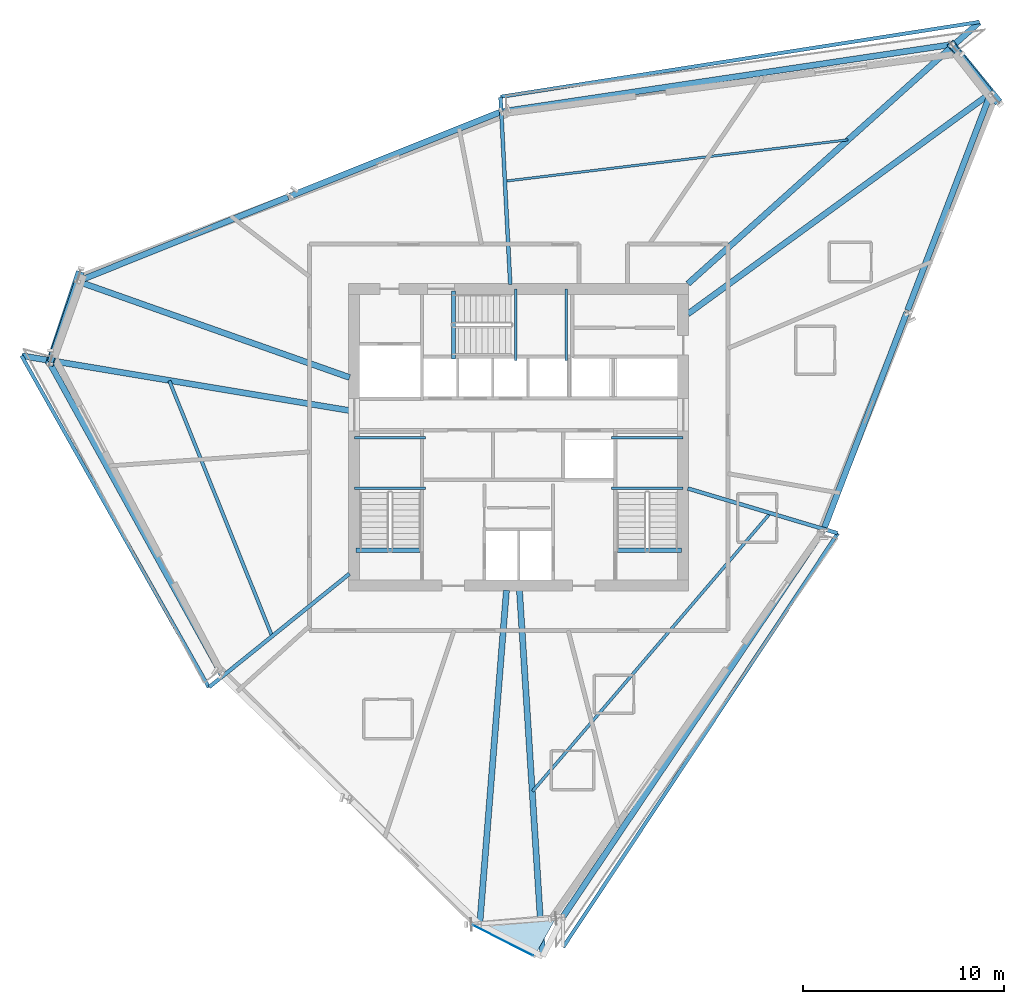
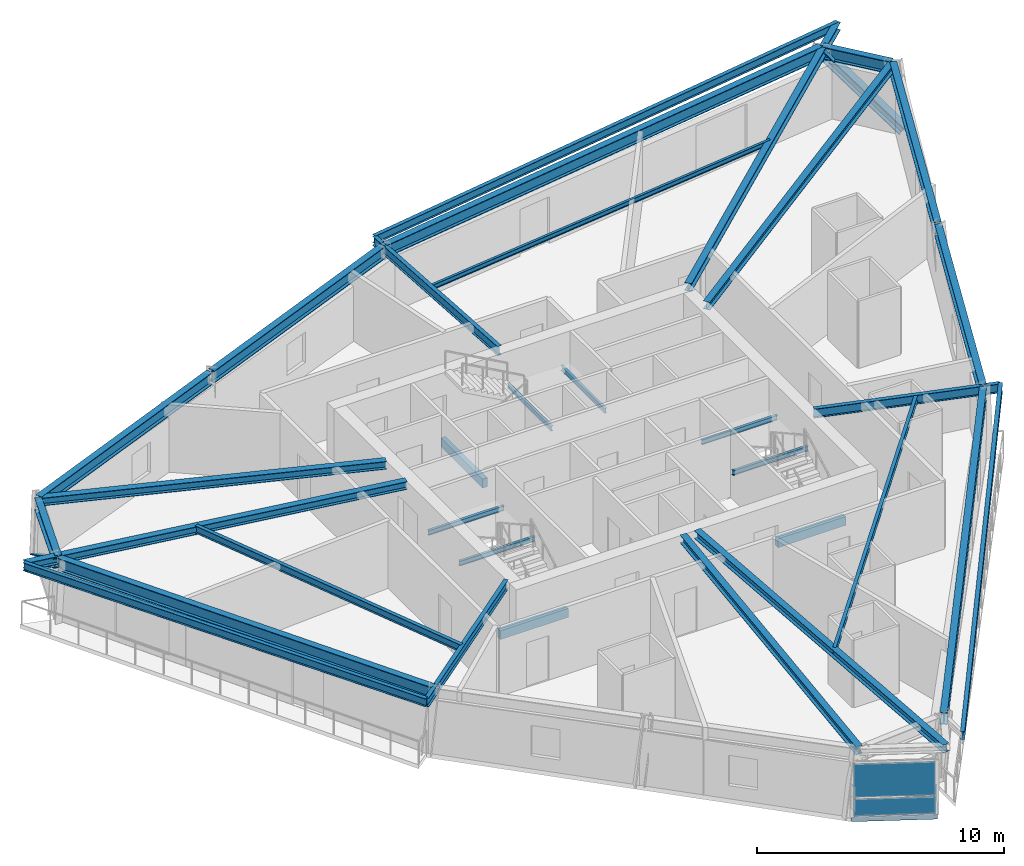
# One storey, part 3 of 13: 33 beams, 2 members, 2 plates, 1 slab, 1 element without a shape of its own.
"""IFC4 building model written with IfcOpenShell, lengths in metres."""

from ifc_helpers import new_model, si_unit, direction, frame, origin, origin_2d, place, context, subcontext, project, spatial, polyline, rectangle, i_section, outline, extrude, source, transform, mapped, material, layer, layer_set, material_profile, profile_set, type_object, element, aggregate, save


model = new_model("IFC4")

# Units and contexts
model_context = context("Model", 3, precision=1e-05, world=origin(), true_north=direction((0.0, 1.0)))
body_context = subcontext(model_context, "Body", "Model", "MODEL_VIEW")
ifc_project = project(units=[si_unit("LENGTHUNIT", "METRE"), si_unit("AREAUNIT", "SQUARE_METRE"), si_unit("VOLUMEUNIT", "CUBIC_METRE"), si_unit("PLANEANGLEUNIT", "RADIAN"), si_unit("MASSUNIT", "GRAM", prefix="KILO")], contexts=[model_context])

# Site, building, storey
site_placement = place(None, origin())
site = spatial("IfcSite", under=ifc_project, at=site_placement, CompositionType="ELEMENT")
building_placement = place(site_placement, origin())
building = spatial("IfcBuilding", under=site, at=building_placement, Name="Olszyna Solenne Hotel", CompositionType="ELEMENT")
storey_placement = place(building_placement, frame((0.0, 0.0, 189.199951171875)))
storey = spatial("IfcBuildingStorey", under=building, at=storey_placement, Name="L50", CompositionType="ELEMENT", Elevation=189.199951171875)

# Beams
ifc_material_1 = material(Name="Steel S355J2", Category="steel")
ifc_material_profile_1 = material_profile(ifc_material_1, i_section(OverallWidth=0.300048828125, OverallDepth=0.60009765625, WebThickness=0.015380859375, FlangeThickness=0.030029296875, at=origin_2d()), Name="HEB 600", Category="load-bearing")
ifc_profile_set_1 = profile_set([ifc_material_profile_1], Name="Steel S355J2")
beam_type_1 = type_object("IfcBeamType", Name="BM-S2", PredefinedType="BEAM", material=ifc_profile_set_1)
shared_shape_1 = source(origin(), body_context, "Body", "SweptSolid", [
    extrude(i_section(OverallWidth=0.300048828125, OverallDepth=0.60009765625, WebThickness=0.015380859375, FlangeThickness=0.030029296875, at=origin_2d()), origin(), (0.0, 0.0, 1.0), 2.979248046875),
])
beam_1_placement = place(storey_placement, frame((61.42236328125, 43.750732421875, 3.030029296875), z_axis=(-0.627319874204, 0.778761693607, 0.0), x_axis=(-0.778761693607, -0.627319874204, 0.0)))
element("IfcBeam", 1, at=beam_1_placement, inside=storey, type_object=beam_type_1, Name="Perimeter spandrel beam BM-S2 B-L50-1482", PredefinedType="BEAM", context=body_context, shape_type="MappedRepresentation", body=[
    mapped(shared_shape_1, transform((0.0, 0.0, 0.0), x_axis=(1.0, 0.0, 0.0), y_axis=(0.0, 1.0, 0.0), z_axis=(0.0, 0.0, 1.0), scale=1.0)),
])
shared_shape_2 = source(origin(), body_context, "Body", "SweptSolid", [
    extrude(i_section(OverallWidth=0.300048828125, OverallDepth=0.60009765625, WebThickness=0.015380859375, FlangeThickness=0.030029296875, at=origin_2d()), origin(), (0.0, 0.0, 1.0), 22.5361328125),
])
beam_2_placement = place(storey_placement, frame((59.45654296875, 46.108642578125, 3.030029296875), z_axis=(-0.989059494064, -0.147517175959, 0.0), x_axis=(0.147517175959, -0.989059494064, 0.0)))
element("IfcBeam", 2, at=beam_2_placement, inside=storey, type_object=beam_type_1, Name="Perimeter spandrel beam BM-S2 B-L50-1483", PredefinedType="BEAM", context=body_context, shape_type="MappedRepresentation", body=[
    mapped(shared_shape_2, transform((0.0, 0.0, 0.0), x_axis=(1.0, 0.0, 0.0), y_axis=(0.0, 1.0, 0.0), z_axis=(0.0, 0.0, 1.0), scale=1.0)),
])
shared_shape_3 = source(origin(), body_context, "Body", "SweptSolid", [
    extrude(i_section(OverallWidth=0.300048828125, OverallDepth=0.60009765625, WebThickness=0.015380859375, FlangeThickness=0.030029296875, at=origin_2d()), origin(), (0.0, 0.0, 1.0), 11.2080078125),
])
beam_3_placement = place(storey_placement, frame((37.052001953125, 42.753173828125, 3.030029296875), z_axis=(-0.928327894335, -0.371762451842, 0.0), x_axis=(0.371762451842, -0.928327894335, 0.0)))
element("IfcBeam", 3, at=beam_3_placement, inside=storey, type_object=beam_type_1, Name="Perimeter spandrel beam BM-S2 B-L50-1484", PredefinedType="BEAM", context=body_context, shape_type="MappedRepresentation", body=[
    mapped(shared_shape_3, transform((0.0, 0.0, 0.0), x_axis=(1.0, 0.0, 0.0), y_axis=(0.0, 1.0, 0.0), z_axis=(0.0, 0.0, 1.0), scale=1.0)),
])
shared_shape_4 = source(origin(), body_context, "Body", "SweptSolid", [
    extrude(i_section(OverallWidth=0.300048828125, OverallDepth=0.60009765625, WebThickness=0.015380859375, FlangeThickness=0.030029296875, at=origin_2d()), origin(), (0.0, 0.0, 1.0), 11.207763671875),
])
beam_4_placement = place(storey_placement, frame((26.53564453125, 38.541748046875, 3.030029296875), z_axis=(-0.928332401421, -0.371751197002, 0.0), x_axis=(0.371751197002, -0.928332401421, 0.0)))
element("IfcBeam", 4, at=beam_4_placement, inside=storey, type_object=beam_type_1, Name="Perimeter spandrel beam BM-S2 B-L50-1485", PredefinedType="BEAM", context=body_context, shape_type="MappedRepresentation", body=[
    mapped(shared_shape_4, transform((0.0, 0.0, 0.0), x_axis=(1.0, 0.0, 0.0), y_axis=(0.0, 1.0, 0.0), z_axis=(0.0, 0.0, 1.0), scale=1.0)),
])
shared_shape_5 = source(origin(), body_context, "Body", "SweptSolid", [
    extrude(i_section(OverallWidth=0.300048828125, OverallDepth=0.60009765625, WebThickness=0.015380859375, FlangeThickness=0.030029296875, at=origin_2d()), origin(), (0.0, 0.0, 1.0), 4.17578125),
])
beam_5_placement = place(storey_placement, frame((16.05615234375, 34.296142578125, 3.030029296875), z_axis=(-0.320574384143, -0.947223344429, 0.0), x_axis=(0.947223344429, -0.320574384143, 0.0)))
element("IfcBeam", 5, at=beam_5_placement, inside=storey, type_object=beam_type_1, Name="Perimeter spandrel beam BM-S2 B-L50-1486", PredefinedType="BEAM", context=body_context, shape_type="MappedRepresentation", body=[
    mapped(shared_shape_5, transform((0.0, 0.0, 0.0), x_axis=(1.0, 0.0, 0.0), y_axis=(0.0, 1.0, 0.0), z_axis=(0.0, 0.0, 1.0), scale=1.0)),
])
shared_shape_6 = source(origin(), body_context, "Body", "SweptSolid", [
    extrude(i_section(OverallWidth=0.300048828125, OverallDepth=0.60009765625, WebThickness=0.015380859375, FlangeThickness=0.030029296875, at=origin_2d()), origin(), (0.0, 0.0, 1.0), 17.644287109375),
])
beam_6_placement = place(storey_placement, frame((14.727294921875, 30.231689453125, 3.030029296875), z_axis=(0.483776206179, -0.875191740326, 0.0), x_axis=(0.875191740326, 0.483776206179, 0.0)))
element("IfcBeam", 6, at=beam_6_placement, inside=storey, type_object=beam_type_1, Name="Perimeter spandrel beam BM-S2 B-L50-1487", PredefinedType="BEAM", context=body_context, shape_type="MappedRepresentation", body=[
    mapped(shared_shape_6, transform((0.0, 0.0, 0.0), x_axis=(1.0, 0.0, 0.0), y_axis=(0.0, 1.0, 0.0), z_axis=(0.0, 0.0, 1.0), scale=1.0)),
])
shared_shape_7 = source(origin(), body_context, "Body", "SweptSolid", [
    extrude(i_section(OverallWidth=0.300048828125, OverallDepth=0.60009765625, WebThickness=0.015380859375, FlangeThickness=0.030029296875, at=origin_2d()), origin(), (0.0, 0.0, 1.0), 23.10400390625),
])
beam_7_placement = place(storey_placement, frame((40.2197265625, 2.80078125, 3.030029296875), z_axis=(0.558571448579, 0.829456410447, 0.0), x_axis=(-0.829456410447, 0.558571448579, 0.0)))
element("IfcBeam", 7, at=beam_7_placement, inside=storey, type_object=beam_type_1, Name="Perimeter spandrel beam BM-S2 B-L50-1491", PredefinedType="BEAM", context=body_context, shape_type="MappedRepresentation", body=[
    mapped(shared_shape_7, transform((0.0, 0.0, 0.0), x_axis=(1.0, 0.0, 0.0), y_axis=(0.0, 1.0, 0.0), z_axis=(0.0, 0.0, 1.0), scale=1.0)),
])
shared_shape_8 = source(origin(), body_context, "Body", "SweptSolid", [
    extrude(i_section(OverallWidth=0.300048828125, OverallDepth=0.60009765625, WebThickness=0.015380859375, FlangeThickness=0.030029296875, at=origin_2d()), origin(), (0.0, 0.0, 1.0), 11.491943359375),
])
beam_8_placement = place(storey_placement, frame((53.179931640625, 22.0703125, 3.030029296875), z_axis=(0.357459623576, 0.933928593369, 0.0), x_axis=(-0.933928593369, 0.357459623576, 0.0)))
element("IfcBeam", 8, at=beam_8_placement, inside=storey, type_object=beam_type_1, Name="Perimeter spandrel beam BM-S2 B-L50-1492", PredefinedType="BEAM", context=body_context, shape_type="MappedRepresentation", body=[
    mapped(shared_shape_8, transform((0.0, 0.0, 0.0), x_axis=(1.0, 0.0, 0.0), y_axis=(0.0, 1.0, 0.0), z_axis=(0.0, 0.0, 1.0), scale=1.0)),
])
shared_shape_9 = source(origin(), body_context, "Body", "SweptSolid", [
    extrude(i_section(OverallWidth=0.300048828125, OverallDepth=0.60009765625, WebThickness=0.015380859375, FlangeThickness=0.030029296875, at=origin_2d()), origin(), (0.0, 0.0, 1.0), 11.4921875),
])
beam_9_placement = place(storey_placement, frame((57.33056640625, 32.9150390625, 3.030029296875), z_axis=(0.357471060857, 0.933924215689, 0.0), x_axis=(-0.933924215689, 0.357471060857, 0.0)))
element("IfcBeam", 9, at=beam_9_placement, inside=storey, type_object=beam_type_1, Name="Perimeter spandrel beam BM-S2 B-L50-1493", PredefinedType="BEAM", context=body_context, shape_type="MappedRepresentation", body=[
    mapped(shared_shape_9, transform((0.0, 0.0, 0.0), x_axis=(1.0, 0.0, 0.0), y_axis=(0.0, 1.0, 0.0), z_axis=(0.0, 0.0, 1.0), scale=1.0)),
])
ifc_material_profile_2 = material_profile(ifc_material_1, i_section(OverallWidth=0.300048828125, OverallDepth=0.389892578125, WebThickness=0.010986328125, FlangeThickness=0.01904296875, at=origin_2d()), Name="HEA 400", Category="load-bearing")
ifc_profile_set_2 = profile_set([ifc_material_profile_2], Name="Steel S355J2")
beam_type_2 = type_object("IfcBeamType", Name="BM-G2", PredefinedType="BEAM", material=ifc_profile_set_2)
shared_shape_10 = source(origin(), body_context, "Body", "SweptSolid", [
    extrude(i_section(OverallWidth=0.300048828125, OverallDepth=0.389892578125, WebThickness=0.010986328125, FlangeThickness=0.01904296875, at=origin_2d()), origin(), (0.0, 0.0, 1.0), 18.565673828125),
])
beam_10_placement = place(storey_placement, frame((61.41162109375, 43.668701171875, 3.135009765625), z_axis=(-0.80804404622, -0.589122075099, 0.0), x_axis=(0.589122075099, -0.80804404622, 0.0)))
element("IfcBeam", 10, at=beam_10_placement, inside=storey, type_object=beam_type_2, Name="Radial floor girder BM-G2 B-L50-1494", PredefinedType="BEAM", context=body_context, shape_type="MappedRepresentation", body=[
    mapped(shared_shape_10, transform((0.0, 0.0, 0.0), x_axis=(1.0, 0.0, 0.0), y_axis=(0.0, 1.0, 0.0), z_axis=(0.0, 0.0, 1.0), scale=1.0)),
])
shared_shape_11 = source(origin(), body_context, "Body", "SweptSolid", [
    extrude(i_section(OverallWidth=0.300048828125, OverallDepth=0.389892578125, WebThickness=0.010986328125, FlangeThickness=0.01904296875, at=origin_2d()), origin(), (0.0, 0.0, 1.0), 19.448974609375),
])
beam_11_placement = place(storey_placement, frame((60.882568359375, 47.227783203125, 3.135009765625), z_axis=(-0.743969748127, -0.668213299682, 0.0), x_axis=(0.668213299682, -0.743969748127, 0.0)))
element("IfcBeam", 11, at=beam_11_placement, inside=storey, type_object=beam_type_2, Name="Radial floor girder BM-G2 B-L50-1495", PredefinedType="BEAM", context=body_context, shape_type="MappedRepresentation", body=[
    mapped(shared_shape_11, transform((0.0, 0.0, 0.0), x_axis=(1.0, 0.0, 0.0), y_axis=(0.0, 1.0, 0.0), z_axis=(0.0, 0.0, 1.0), scale=1.0)),
])
ifc_material_profile_3 = material_profile(ifc_material_1, i_section(OverallWidth=0.18994140625, OverallDepth=0.449951171875, WebThickness=0.009521484375, FlangeThickness=0.0146484375, at=origin_2d()), Name="IPE 450", Category="load-bearing")
ifc_profile_set_3 = profile_set([ifc_material_profile_3], Name="Steel S355J2")
beam_type_3 = type_object("IfcBeamType", Name="BM-F4", PredefinedType="BEAM", material=ifc_profile_set_3)
shared_shape_12 = source(origin(), body_context, "Body", "SweptSolid", [
    extrude(i_section(OverallWidth=0.18994140625, OverallDepth=0.449951171875, WebThickness=0.009521484375, FlangeThickness=0.0146484375, at=origin_2d()), origin(), (0.0, 0.0, 1.0), 9.314208984375),
])
beam_12_placement = place(storey_placement, frame((37.097412109375, 43.501953125, 3.10498046875), z_axis=(0.051898469434, -0.998652366377, 0.0), x_axis=(0.998652366377, 0.051898469434, 0.0)))
element("IfcBeam", 12, at=beam_12_placement, inside=storey, type_object=beam_type_3, Name="Radial floor girder BM-F4 B-L50-1496", PredefinedType="BEAM", context=body_context, shape_type="MappedRepresentation", body=[
    mapped(shared_shape_12, transform((0.0, 0.0, 0.0), x_axis=(1.0, 0.0, 0.0), y_axis=(0.0, 1.0, 0.0), z_axis=(0.0, 0.0, 1.0), scale=1.0)),
])
shared_shape_13 = source(origin(), body_context, "Body", "SweptSolid", [
    extrude(i_section(OverallWidth=0.300048828125, OverallDepth=0.389892578125, WebThickness=0.010986328125, FlangeThickness=0.01904296875, at=origin_2d()), origin(), (0.0, 0.0, 1.0), 14.282470703125),
])
beam_13_placement = place(storey_placement, frame((16.1318359375, 34.3330078125, 3.135009765625), z_axis=(0.942786926616, -0.333395877302, 0.0), x_axis=(0.333395877302, 0.942786926616, 0.0)))
element("IfcBeam", 13, at=beam_13_placement, inside=storey, type_object=beam_type_2, Name="Radial floor girder BM-G2 B-L50-1497", PredefinedType="BEAM", context=body_context, shape_type="MappedRepresentation", body=[
    mapped(shared_shape_13, transform((0.0, 0.0, 0.0), x_axis=(1.0, 0.0, 0.0), y_axis=(0.0, 1.0, 0.0), z_axis=(0.0, 0.0, 1.0), scale=1.0)),
])
shared_shape_14 = source(origin(), body_context, "Body", "SweptSolid", [
    extrude(i_section(OverallWidth=0.300048828125, OverallDepth=0.389892578125, WebThickness=0.010986328125, FlangeThickness=0.01904296875, at=origin_2d()), origin(), (0.0, 0.0, 1.0), 16.51123046875),
])
beam_14_placement = place(storey_placement, frame((13.31396484375, 30.650146484375, 3.135009765625), z_axis=(0.986318289853, -0.164852149218, 0.0), x_axis=(0.164852149218, 0.986318289853, 0.0)))
element("IfcBeam", 14, at=beam_14_placement, inside=storey, type_object=beam_type_2, Name="Radial floor girder BM-G2 B-L50-1498", PredefinedType="BEAM", context=body_context, shape_type="MappedRepresentation", body=[
    mapped(shared_shape_14, transform((0.0, 0.0, 0.0), x_axis=(1.0, 0.0, 0.0), y_axis=(0.0, 1.0, 0.0), z_axis=(0.0, 0.0, 1.0), scale=1.0)),
])
shared_shape_15 = source(origin(), body_context, "Body", "SweptSolid", [
    extrude(i_section(OverallWidth=0.18994140625, OverallDepth=0.449951171875, WebThickness=0.009521484375, FlangeThickness=0.0146484375, at=origin_2d()), origin(), (0.0, 0.0, 1.0), 8.960205078125),
])
beam_15_placement = place(storey_placement, frame((22.616943359375, 14.187744140625, 3.10498046875), z_axis=(0.778104565233, 0.628134767039, 0.0), x_axis=(-0.628134767039, 0.778104565233, 0.0)))
element("IfcBeam", 15, at=beam_15_placement, inside=storey, type_object=beam_type_3, Name="Radial floor girder BM-F4 B-L50-1499", PredefinedType="BEAM", context=body_context, shape_type="MappedRepresentation", body=[
    mapped(shared_shape_15, transform((0.0, 0.0, 0.0), x_axis=(1.0, 0.0, 0.0), y_axis=(0.0, 1.0, 0.0), z_axis=(0.0, 0.0, 1.0), scale=1.0)),
])
shared_shape_16 = source(origin(), body_context, "Body", "SweptSolid", [
    extrude(i_section(OverallWidth=0.300048828125, OverallDepth=0.389892578125, WebThickness=0.010986328125, FlangeThickness=0.01904296875, at=origin_2d()), origin(), (0.0, 0.0, 1.0), 16.602294921875),
])
beam_16_placement = place(storey_placement, frame((36.069091796875, 2.4501953125, 3.135009765625), z_axis=(0.079701971735, 0.996818737636, 0.0), x_axis=(-0.996818737636, 0.079701971735, 0.0)))
element("IfcBeam", 16, at=beam_16_placement, inside=storey, type_object=beam_type_2, Name="Radial floor girder BM-G2 B-L50-1500", PredefinedType="BEAM", context=body_context, shape_type="MappedRepresentation", body=[
    mapped(shared_shape_16, transform((0.0, 0.0, 0.0), x_axis=(1.0, 0.0, 0.0), y_axis=(0.0, 1.0, 0.0), z_axis=(0.0, 0.0, 1.0), scale=1.0)),
])
shared_shape_17 = source(origin(), body_context, "Body", "SweptSolid", [
    extrude(i_section(OverallWidth=0.300048828125, OverallDepth=0.389892578125, WebThickness=0.010986328125, FlangeThickness=0.01904296875, at=origin_2d()), origin(), (0.0, 0.0, 1.0), 18.21630859375),
])
beam_17_placement = place(storey_placement, frame((39.191650390625, 0.820068359375, 3.135009765625), z_axis=(-0.06324518436, 0.997998019364, 0.0), x_axis=(-0.997998019364, -0.06324518436, 0.0)))
element("IfcBeam", 17, at=beam_17_placement, inside=storey, type_object=beam_type_2, Name="Radial floor girder BM-G2 B-L50-1501", PredefinedType="BEAM", context=body_context, shape_type="MappedRepresentation", body=[
    mapped(shared_shape_17, transform((0.0, 0.0, 0.0), x_axis=(1.0, 0.0, 0.0), y_axis=(0.0, 1.0, 0.0), z_axis=(0.0, 0.0, 1.0), scale=1.0)),
])
shared_shape_18 = source(origin(), body_context, "Body", "SweptSolid", [
    extrude(i_section(OverallWidth=0.18994140625, OverallDepth=0.449951171875, WebThickness=0.009521484375, FlangeThickness=0.0146484375, at=origin_2d()), origin(), (0.0, 0.0, 1.0), 7.76416015625),
])
beam_18_placement = place(storey_placement, frame((53.84130859375, 21.83544921875, 3.10498046875), z_axis=(-0.958148492823, 0.286271664161, 0.0), x_axis=(-0.286271664161, -0.958148492823, 0.0)))
element("IfcBeam", 18, at=beam_18_placement, inside=storey, type_object=beam_type_3, Name="Radial floor girder BM-F4 B-L50-1502", PredefinedType="BEAM", context=body_context, shape_type="MappedRepresentation", body=[
    mapped(shared_shape_18, transform((0.0, 0.0, 0.0), x_axis=(1.0, 0.0, 0.0), y_axis=(0.0, 1.0, 0.0), z_axis=(0.0, 0.0, 1.0), scale=1.0)),
])
ifc_material_profile_4 = material_profile(ifc_material_1, i_section(OverallWidth=0.1201171875, OverallDepth=0.239990234375, WebThickness=0.006103515625, FlangeThickness=0.009765625, at=origin_2d()), Name="IPE 240", Category="load-bearing")
ifc_profile_set_4 = profile_set([ifc_material_profile_4], Name="Steel S355J2")
beam_type_4 = type_object("IfcBeamType", Name="JS-03", PredefinedType="JOIST", material=ifc_profile_set_4)
shared_shape_19 = source(origin(), body_context, "Body", "SweptSolid", [
    extrude(i_section(OverallWidth=0.1201171875, OverallDepth=0.239990234375, WebThickness=0.006103515625, FlangeThickness=0.009765625, at=origin_2d()), origin(), (0.0, 0.0, 1.0), 17.14892578125),
])
beam_19_placement = place(storey_placement, frame((54.359619140625, 41.384521484375, 3.2099609375), z_axis=(-0.992794620219, -0.119828385889, 0.0), x_axis=(0.119828385889, -0.992794620219, 0.0)))
element("IfcBeam", 19, at=beam_19_placement, inside=storey, type_object=beam_type_4, Name="Secondary composite floor joist JS-03 B-L50-1505", PredefinedType="JOIST", context=body_context, shape_type="MappedRepresentation", body=[
    mapped(shared_shape_19, transform((0.0, 0.0, 0.0), x_axis=(1.0, 0.0, 0.0), y_axis=(0.0, 1.0, 0.0), z_axis=(0.0, 0.0, 1.0), scale=1.0)),
])
ifc_material_profile_5 = material_profile(ifc_material_1, i_section(OverallWidth=0.169921875, OverallDepth=0.360107421875, WebThickness=0.008056640625, FlangeThickness=0.0126953125, at=origin_2d()), Name="IPE 360", Category="load-bearing")
ifc_profile_set_5 = profile_set([ifc_material_profile_5], Name="Steel S355J2")
beam_type_5 = type_object("IfcBeamType", Name="JS-01", PredefinedType="JOIST", material=ifc_profile_set_5)
shared_shape_20 = source(origin(), body_context, "Body", "SweptSolid", [
    extrude(i_section(OverallWidth=0.169921875, OverallDepth=0.360107421875, WebThickness=0.008056640625, FlangeThickness=0.0126953125, at=origin_2d()), origin(), (0.0, 0.0, 1.0), 13.663818359375),
])
beam_20_placement = place(storey_placement, frame((20.638916015625, 29.408447265625, 3.150146484375), z_axis=(0.373204471742, -0.927749116018, 0.0), x_axis=(0.927749116018, 0.373204471742, 0.0)))
element("IfcBeam", 20, at=beam_20_placement, inside=storey, type_object=beam_type_5, Name="Secondary composite floor joist JS-01 B-L50-1506", PredefinedType="JOIST", context=body_context, shape_type="MappedRepresentation", body=[
    mapped(shared_shape_20, transform((0.0, 0.0, 0.0), x_axis=(1.0, 0.0, 0.0), y_axis=(0.0, 1.0, 0.0), z_axis=(0.0, 0.0, 1.0), scale=1.0)),
])
ifc_material_profile_6 = material_profile(ifc_material_1, i_section(OverallWidth=0.14990234375, OverallDepth=0.300048828125, WebThickness=0.007080078125, FlangeThickness=0.0107421875, at=origin_2d()), Name="IPE 300", Category="load-bearing")
ifc_profile_set_6 = profile_set([ifc_material_profile_6], Name="Steel S355J2")
beam_type_6 = type_object("IfcBeamType", Name="JS-02", PredefinedType="JOIST", material=ifc_profile_set_6)
shared_shape_21 = source(origin(), body_context, "Body", "SweptSolid", [
    extrude(i_section(OverallWidth=0.14990234375, OverallDepth=0.300048828125, WebThickness=0.007080078125, FlangeThickness=0.0107421875, at=origin_2d()), origin(), (0.0, 0.0, 1.0), 18.169189453125),
])
beam_21_placement = place(storey_placement, frame((38.68701171875, 9.005126953125, 3.179931640625), z_axis=(0.649684097017, 0.760204297596, 0.0), x_axis=(-0.760204297596, 0.649684097017, 0.0)))
element("IfcBeam", 21, at=beam_21_placement, inside=storey, type_object=beam_type_6, Name="Secondary composite floor joist JS-02 B-L50-1507", PredefinedType="JOIST", context=body_context, shape_type="MappedRepresentation", body=[
    mapped(shared_shape_21, transform((0.0, 0.0, 0.0), x_axis=(1.0, 0.0, 0.0), y_axis=(0.0, 1.0, 0.0), z_axis=(0.0, 0.0, 1.0), scale=1.0)),
])
ifc_material_profile_7 = material_profile(ifc_material_1, i_section(OverallWidth=0.179931640625, OverallDepth=0.39990234375, WebThickness=0.008544921875, FlangeThickness=0.013427734375, at=origin_2d()), Name="IPE 400", Category="load-bearing")
ifc_profile_set_7 = profile_set([ifc_material_profile_7], Name="Steel S355J2")
beam_type_7 = type_object("IfcBeamType", Name="BM-F5", PredefinedType="BEAM", material=ifc_profile_set_7)
shared_shape_22 = source(origin(), body_context, "Body", "SweptSolid", [
    extrude(i_section(OverallWidth=0.179931640625, OverallDepth=0.39990234375, WebThickness=0.008544921875, FlangeThickness=0.013427734375, at=origin_2d()), origin(), (0.0, 0.0, 1.0), 24.08984375),
])
beam_22_placement = place(storey_placement, frame((60.8974609375, 47.2412109375, 3.130126953125), z_axis=(-0.988009956508, -0.154390174045, 0.0), x_axis=(0.154390174045, -0.988009956508, 0.0)))
element("IfcBeam", 22, at=beam_22_placement, inside=storey, type_object=beam_type_7, Name="Loggia outer edge beam BM-F5 B-L50-1508", PredefinedType="BEAM", context=body_context, shape_type="MappedRepresentation", body=[
    mapped(shared_shape_22, transform((0.0, 0.0, 0.0), x_axis=(1.0, 0.0, 0.0), y_axis=(0.0, 1.0, 0.0), z_axis=(0.0, 0.0, 1.0), scale=1.0)),
])
shared_shape_23 = source(origin(), body_context, "Body", "SweptSolid", [
    extrude(i_section(OverallWidth=0.179931640625, OverallDepth=0.39990234375, WebThickness=0.008544921875, FlangeThickness=0.013427734375, at=origin_2d()), origin(), (0.0, 0.0, 1.0), 18.925048828125),
])
beam_23_placement = place(storey_placement, frame((13.294189453125, 30.6533203125, 3.130126953125), z_axis=(0.491789854674, -0.8707139248, 0.0), x_axis=(0.8707139248, 0.491789854674, 0.0)))
element("IfcBeam", 23, at=beam_23_placement, inside=storey, type_object=beam_type_7, Name="Loggia outer edge beam BM-F5 B-L50-1509", PredefinedType="BEAM", context=body_context, shape_type="MappedRepresentation", body=[
    mapped(shared_shape_23, transform((0.0, 0.0, 0.0), x_axis=(1.0, 0.0, 0.0), y_axis=(0.0, 1.0, 0.0), z_axis=(0.0, 0.0, 1.0), scale=1.0)),
])
shared_shape_24 = source(origin(), body_context, "Body", "SweptSolid", [
    extrude(i_section(OverallWidth=0.179931640625, OverallDepth=0.39990234375, WebThickness=0.008544921875, FlangeThickness=0.013427734375, at=origin_2d()), origin(), (0.0, 0.0, 1.0), 24.689208984375),
])
beam_24_placement = place(storey_placement, frame((40.208740234375, 1.258056640625, 3.130126953125), z_axis=(0.552946415262, 0.83321681563, 0.0), x_axis=(-0.83321681563, 0.552946415262, 0.0)))
element("IfcBeam", 24, at=beam_24_placement, inside=storey, type_object=beam_type_7, Name="Loggia outer edge beam BM-F5 B-L50-1510", PredefinedType="BEAM", context=body_context, shape_type="MappedRepresentation", body=[
    mapped(shared_shape_24, transform((0.0, 0.0, 0.0), x_axis=(1.0, 0.0, 0.0), y_axis=(0.0, 1.0, 0.0), z_axis=(0.0, 0.0, 1.0), scale=1.0)),
])

# Members
ifc_material_2 = material(Name="Steel S460M", Category="steel")
ifc_material_profile_8 = material_profile(ifc_material_2, i_section(OverallWidth=0.406005859375, OverallDepth=0.416015625, WebThickness=0.026611328125, FlangeThickness=0.04150390625, at=origin_2d()), Name="HD 400x382", Category="load-bearing")
ifc_profile_set_8 = profile_set([ifc_material_profile_8], Name="Steel S460M")
member_type = type_object("IfcMemberType", Name="BR-T2", PredefinedType="BRACE", material=ifc_profile_set_8)
shared_shape_25 = source(origin(), body_context, "Body", "SweptSolid", [
    extrude(i_section(OverallWidth=0.406005859375, OverallDepth=0.416015625, WebThickness=0.026611328125, FlangeThickness=0.04150390625, at=origin_2d()), origin(), (0.0, 0.0, 1.0), 4.659912109375),
])
member_1_placement = place(storey_placement, frame((61.772216796875, 43.345703125, 0.010009765625), z_axis=(-0.484201702152, 0.594852426557, 0.641637983798), x_axis=(-0.775549559995, -0.631286686056, 0.0)))
element("IfcMember", 25, at=member_1_placement, inside=storey, type_object=member_type, Name="Perimeter braced-tube diagonal BR-T2 BR-L50-1", PredefinedType="BRACE", context=body_context, shape_type="MappedRepresentation", body=[
    mapped(shared_shape_25, transform((0.0, 0.0, 0.0), x_axis=(1.0, 0.0, 0.0), y_axis=(0.0, 1.0, 0.0), z_axis=(0.0, 0.0, 1.0), scale=1.0)),
])
shared_shape_26 = source(origin(), body_context, "Body", "SweptSolid", [
    extrude(i_section(OverallWidth=0.406005859375, OverallDepth=0.416015625, WebThickness=0.026611328125, FlangeThickness=0.04150390625, at=origin_2d()), origin(), (0.0, 0.0, 1.0), 5.555908203125),
])
member_2_placement = place(storey_placement, frame((16.177001953125, 34.727294921875, 0.010009765625), z_axis=(-0.266160168694, -0.799710898145, 0.538164699686), x_axis=(0.948829178706, -0.315789787099, 0.0)))
element("IfcMember", 26, at=member_2_placement, inside=storey, type_object=member_type, Name="Perimeter braced-tube diagonal BR-T2 BR-L50-2", PredefinedType="BRACE", context=body_context, shape_type="MappedRepresentation", body=[
    mapped(shared_shape_26, transform((0.0, 0.0, 0.0), x_axis=(1.0, 0.0, 0.0), y_axis=(0.0, 1.0, 0.0), z_axis=(0.0, 0.0, 1.0), scale=1.0)),
])

# Beams
shared_shape_27 = source(origin(), body_context, "Body", "SweptSolid", [
    extrude(i_section(OverallWidth=0.1201171875, OverallDepth=0.239990234375, WebThickness=0.006103515625, FlangeThickness=0.009765625, at=origin_2d()), origin(), (0.0, 0.0, 1.0), 3.539794921875),
])
for number, where, z_axis, x_axis, name in (
    (27, (33.3798828125, 24.070068359375, 1.449951171875), (-1.0, 0.0, 0.0), (0.0, -1.0, 0.0), "Stair landing support beam JS-03 SLB-ST1-0105"),
    (28, (33.3798828125, 26.580078125, 1.449951171875), (-1.0, 0.0, 0.0), (0.0, -1.0, 0.0), "Stair landing support beam JS-03 SLB-ST1-0106"),
    (29, (46.159912109375, 24.070068359375, 1.449951171875), (-1.0, 0.0, 0.0), (0.0, -1.0, 0.0), "Stair landing support beam JS-03 SLB-ST2-0345"),
    (30, (46.159912109375, 26.580078125, 1.449951171875), (-1.0, 0.0, 0.0), (0.0, -1.0, 0.0), "Stair landing support beam JS-03 SLB-ST2-0346"),
):
    element("IfcBeam", number, at=place(storey_placement, frame(where, z_axis=z_axis, x_axis=x_axis)), inside=storey, type_object=beam_type_4, Name=name, PredefinedType="JOIST", context=body_context, shape_type="MappedRepresentation", body=[
        mapped(shared_shape_27, transform((0.0, 0.0, 0.0), x_axis=(1.0, 0.0, 0.0), y_axis=(0.0, 1.0, 0.0), z_axis=(0.0, 0.0, 1.0), scale=1.0)),
    ])
ifc_material_3 = material(Name="Concrete C50/60", Category="concrete")
ifc_material_profile_9 = material_profile(ifc_material_3, rectangle(XDim=0.219970703125, YDim=0.43994140625, at=origin_2d()), Name="RC 220x440", Category="load-bearing")
ifc_profile_set_9 = profile_set([ifc_material_profile_9], Name="Concrete C50/60")
beam_type_8 = type_object("IfcBeamType", Name="BM-ST1", PredefinedType="BEAM", material=ifc_profile_set_9)
shared_shape_28 = source(origin(), body_context, "Body", "SweptSolid", [
    extrude(rectangle(XDim=0.219970703125, YDim=0.43994140625, at=origin_2d()), origin(), (0.0, 0.0, 1.0), 3.18017578125),
])
for number, where, z_axis, x_axis, name in (
    (31, (33.10009765625, 20.97998046875, -0.204833984375), (-1.0, 0.0, 0.0), (0.0, -1.0, 0.0), "Concrete stair trimmer beam BM-ST1 SHB-ST1-0212"),
    (32, (46.080078125, 20.97998046875, -0.204833984375), (-1.0, 0.0, 0.0), (0.0, -1.0, 0.0), "Concrete stair trimmer beam BM-ST1 SHB-ST2-0452"),
):
    element("IfcBeam", number, at=place(storey_placement, frame(where, z_axis=z_axis, x_axis=x_axis)), inside=storey, type_object=beam_type_8, Name=name, PredefinedType="BEAM", context=body_context, shape_type="MappedRepresentation", body=[
        mapped(shared_shape_28, transform((0.0, 0.0, 0.0), x_axis=(1.0, 0.0, 0.0), y_axis=(0.0, 1.0, 0.0), z_axis=(0.0, 0.0, 1.0), scale=1.0)),
    ])
shared_shape_29 = source(origin(), body_context, "Body", "SweptSolid", [
    extrude(i_section(OverallWidth=0.1201171875, OverallDepth=0.239990234375, WebThickness=0.006103515625, FlangeThickness=0.009765625, at=origin_2d()), origin(), (0.0, 0.0, 1.0), 3.5400390625),
])
for number, where, z_axis, x_axis, name in (
    (33, (37.85009765625, 30.419921875, 1.449951171875), (0.0, 1.0, 0.0), (-1.0, 0.0, 0.0), "Stair landing support beam JS-03 SLB-ST3-0585"),
    (34, (40.360107421875, 30.419921875, 1.449951171875), (0.0, 1.0, 0.0), (-1.0, 0.0, 0.0), "Stair landing support beam JS-03 SLB-ST3-0586"),
):
    element("IfcBeam", number, at=place(storey_placement, frame(where, z_axis=z_axis, x_axis=x_axis)), inside=storey, type_object=beam_type_4, Name=name, PredefinedType="JOIST", context=body_context, shape_type="MappedRepresentation", body=[
        mapped(shared_shape_29, transform((0.0, 0.0, 0.0), x_axis=(1.0, 0.0, 0.0), y_axis=(0.0, 1.0, 0.0), z_axis=(0.0, 0.0, 1.0), scale=1.0)),
    ])
shared_shape_30 = source(origin(), body_context, "Body", "SweptSolid", [
    extrude(rectangle(XDim=0.219970703125, YDim=0.43994140625, at=origin_2d()), origin(), (0.0, 0.0, 1.0), 3.3798828125),
])
beam_25_placement = place(storey_placement, frame((34.760009765625, 30.5, -0.204833984375), z_axis=(0.0, 1.0, 0.0), x_axis=(-1.0, 0.0, 0.0)))
element("IfcBeam", 35, at=beam_25_placement, inside=storey, type_object=beam_type_8, Name="Concrete stair trimmer beam BM-ST1 SHB-ST3-0690", PredefinedType="BEAM", context=body_context, shape_type="MappedRepresentation", body=[
    mapped(shared_shape_30, transform((0.0, 0.0, 0.0), x_axis=(1.0, 0.0, 0.0), y_axis=(0.0, 1.0, 0.0), z_axis=(0.0, 0.0, 1.0), scale=1.0)),
])

# Slab
ifc_layer = layer(ifc_material_3, 0.219970703125, Name="Concrete C50/60")
ifc_layer_set = layer_set([ifc_layer], Name="Concrete C50/60")
slab_type = type_object("IfcSlabType", Name="SL-TW225", PredefinedType="FLOOR", material=ifc_layer_set)
slab_placement = place(storey_placement, frame((0.0, 0.0, -0.219970703125)))
element("IfcSlab", 36, at=slab_placement, inside=storey, type_object=slab_type, Name="Faceted glass-prism floor slab SL-L50-PR", PredefinedType="FLOOR", context=body_context, shape_type="SweptSolid", body=[
    extrude(outline(polyline([(39.828125, 2.677490234375), (35.673095703125, 2.379638671875), (38.77685546875, 0.800048828125), (39.828125, 2.677490234375)])), origin(), (0.0, 0.0, 1.0), 0.219970703125),
])

# Curtain wall, plates
ifc_material_4 = material(Name="Anodised bronze aluminium", Category="aluminium")
curtain_wall_type = type_object("IfcCurtainWallType", Name="CW-SYS-5", PredefinedType="NOTDEFINED", material=ifc_material_4)
curtain_wall_placement = place(storey_placement, origin())
curtain_wall = element("IfcCurtainWall", 37, at=curtain_wall_placement, inside=storey, type_object=curtain_wall_type, Name="Unitised curtain wall CW-SYS-5 CW-L50-02", PredefinedType="NOTDEFINED")
ifc_material_5 = material(Name="Low-E triple glazing", Category="glass")
plate_type = type_object("IfcPlateType", Name="PN-PR1", PredefinedType="CURTAIN_PANEL", material=ifc_material_5)
shared_shape_31 = source(origin(), body_context, "Body", "SweptSolid", [
    extrude(rectangle(XDim=3.351806640625, YDim=0.028076171875, at=origin_2d()), origin(), (0.0, 0.0, 1.0), 0.83740234375),
])
plate_1_placement = place(storey_placement, frame((37.21630859375, 1.59423828125, 0.0751953125), z_axis=(0.0, 0.0, 1.0), x_axis=(0.891200267487, -0.45361005636, 0.0)))
plate_1 = element("IfcPlate", 38, at=plate_1_placement, type_object=plate_type, Name="Curtain-wall panel PN-PR1 CP-L50-02-01", PredefinedType="CURTAIN_PANEL", context=body_context, shape_type="MappedRepresentation", body=[
    mapped(shared_shape_31, transform((0.0, 0.0, 0.0), x_axis=(1.0, 0.0, 0.0), y_axis=(0.0, 1.0, 0.0), z_axis=(0.0, 0.0, 1.0), scale=1.0)),
])
shared_shape_32 = source(origin(), body_context, "Body", "SweptSolid", [
    extrude(rectangle(XDim=3.351806640625, YDim=0.028076171875, at=origin_2d()), origin(), (0.0, 0.0, 1.0), 1.659423828125),
])
plate_2_placement = place(storey_placement, frame((37.21630859375, 1.59423828125, 0.98779296875), z_axis=(0.0, 0.0, 1.0), x_axis=(0.891200267487, -0.45361005636, 0.0)))
plate_2 = element("IfcPlate", 39, at=plate_2_placement, type_object=plate_type, Name="Curtain-wall panel PN-PR1 CP-L50-02-02", PredefinedType="CURTAIN_PANEL", context=body_context, shape_type="MappedRepresentation", body=[
    mapped(shared_shape_32, transform((0.0, 0.0, 0.0), x_axis=(1.0, 0.0, 0.0), y_axis=(0.0, 1.0, 0.0), z_axis=(0.0, 0.0, 1.0), scale=1.0)),
])
aggregate(curtain_wall, [plate_1, plate_2])

save(model, "model.ifc")
